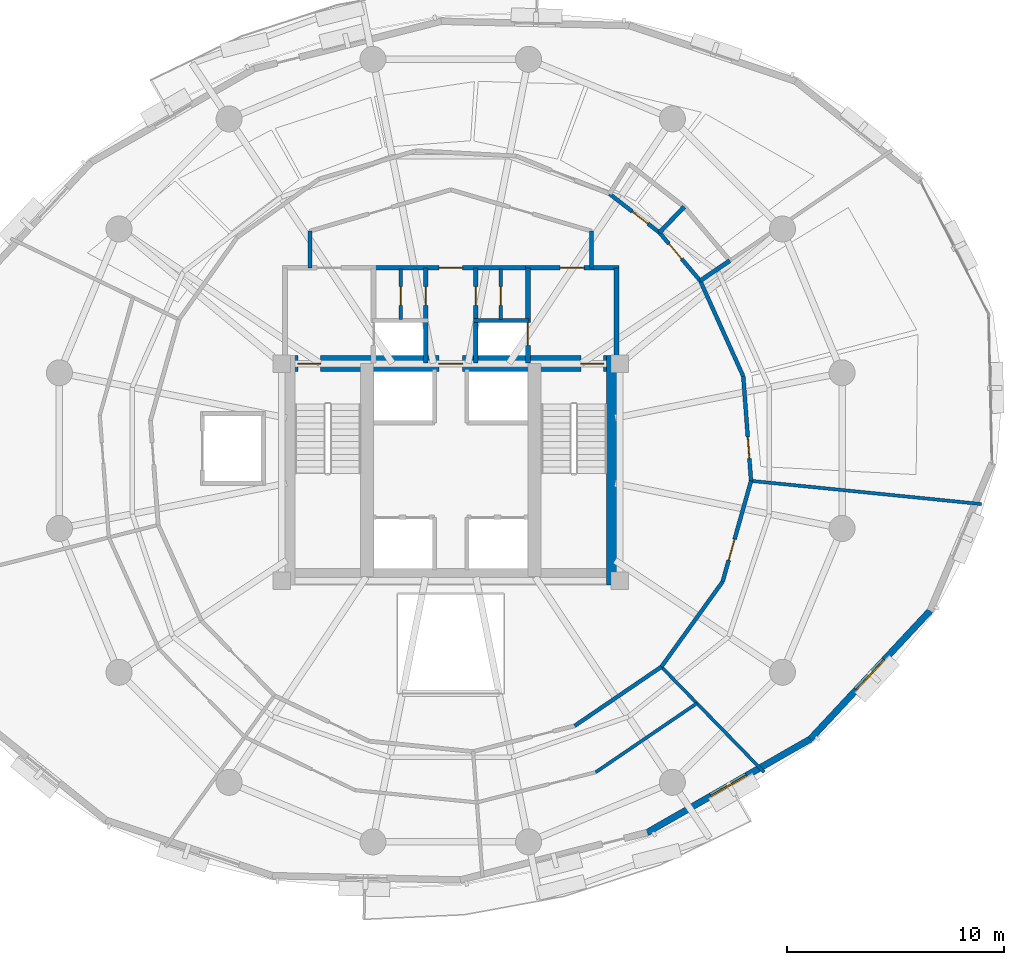
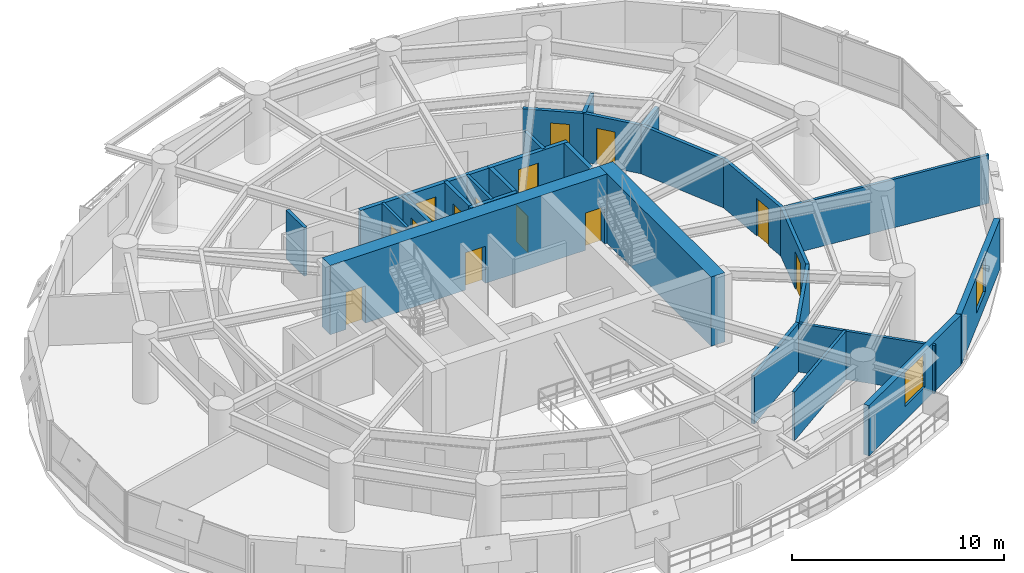
# One storey, part 11 of 15: 27 walls, 14 doors, 2 windows, 16 openings.
"""IFC4 building model written with IfcOpenShell, lengths in metres."""

from ifc_helpers import new_model, si_unit, direction, frame, frame_2d, origin, place, context, subcontext, project, spatial, rectangle, extrude, material, layer, layer_set, type_object, element, fill, save


model = new_model("IFC4")

# Units and contexts
model_context = context("Model", 3, precision=1e-05, world=origin(), true_north=direction((0.0, 1.0)))
body_context = subcontext(model_context, "Body", "Model", "MODEL_VIEW")
ifc_project = project(units=[si_unit("LENGTHUNIT", "METRE"), si_unit("AREAUNIT", "SQUARE_METRE"), si_unit("VOLUMEUNIT", "CUBIC_METRE"), si_unit("PLANEANGLEUNIT", "RADIAN"), si_unit("MASSUNIT", "GRAM", prefix="KILO"), si_unit("THERMODYNAMICTEMPERATUREUNIT", "KELVIN"), si_unit("POWERUNIT", "WATT")], contexts=[model_context])

# Site, building, storey
site_placement = place(None, origin())
site = spatial("IfcSite", under=ifc_project, at=site_placement, CompositionType="ELEMENT")
building_placement = place(site_placement, origin())
building = spatial("IfcBuilding", under=site, at=building_placement, Name="Ocrelia Relay Tower", CompositionType="ELEMENT")
storey_placement = place(building_placement, frame((0.0, 0.0, 93.800048828125)))
storey = spatial("IfcBuildingStorey", under=building, at=storey_placement, Name="L21", CompositionType="ELEMENT", Elevation=93.800048828125)

# Wall, openings, doors
ifc_material_1 = material(Name="Concrete C60/75", Category="concrete")
ifc_layer_1 = layer(ifc_material_1, 0.75, Name="Concrete C60/75")
ifc_layer_set_1 = layer_set([ifc_layer_1], Name="Concrete C60/75")
wall_type_1 = type_object("IfcWallType", Name="CW-CORE-750", PredefinedType="SHEAR", material=ifc_layer_set_1)
wall_1_placement = place(storey_placement, frame((26.072021484375, 30.012939453125, 0.0), z_axis=(0.0, 0.0, 1.0), x_axis=(1.0, 0.0, 0.0)))
wall_1 = element("IfcWall", 1, at=wall_1_placement, inside=storey, type_object=wall_type_1, Name="L21 Core Shear Wall N", PredefinedType="SHEAR", context=body_context, shape_type="SweptSolid", body=[
    extrude(rectangle(XDim=15.865966796875, YDim=0.75, at=frame_2d((7.93310546875, 0.0))), origin(), (0.0, 0.0, 1.0), 4.0),
])
opening_1_placement = place(wall_1_placement, frame((0.8779296875, 0.0, 0.0)))
opening_1 = element("IfcOpeningElement", 2, at=opening_1_placement, cuts=wall_1, Name="Opening D-FD90", PredefinedType="OPENING", context=body_context, shape_type="SweptSolid", body=[
    extrude(rectangle(XDim=1.050048828125, YDim=2.14990234375, at=frame_2d((0.52490234375, 1.074951171875))), frame((0.0, 0.385009765625, 0.0), z_axis=(0.0, -1.0, 0.0), x_axis=(1.0, 0.0, 0.0)), (0.0, 0.0, 1.0), 0.77001953125),
])
opening_2_placement = place(wall_1_placement, frame((13.927978515625, 0.0, 0.0)))
opening_2 = element("IfcOpeningElement", 3, at=opening_2_placement, cuts=wall_1, Name="Opening D-FD90", PredefinedType="OPENING", context=body_context, shape_type="SweptSolid", body=[
    extrude(rectangle(XDim=1.050048828125, YDim=2.14990234375, at=frame_2d((0.52490234375, 1.074951171875))), frame((0.0, 0.385009765625, 0.0), z_axis=(0.0, -1.0, 0.0), x_axis=(1.0, 0.0, 0.0)), (0.0, 0.0, 1.0), 0.77001953125),
])
opening_3_placement = place(wall_1_placement, frame((7.3779296875, 0.0, 0.0)))
opening_3 = element("IfcOpeningElement", 4, at=opening_3_placement, cuts=wall_1, Name="Opening D-FD60", PredefinedType="OPENING", context=body_context, shape_type="SweptSolid", body=[
    extrude(rectangle(XDim=1.10009765625, YDim=2.14990234375, at=frame_2d((0.550048828125, 1.074951171875))), frame((0.0, 0.385009765625, 0.0), z_axis=(0.0, -1.0, 0.0), x_axis=(1.0, 0.0, 0.0)), (0.0, 0.0, 1.0), 0.77001953125),
])
ifc_material_2 = material(Name="Timber-core 60-min acoustic fire door", Category="wood")
door_type_1 = type_object("IfcDoorType", Name="DR-LOBBY-FD60-1100", OperationType="NOTDEFINED", PredefinedType="DOOR", material=ifc_material_2)
door_1_placement = place(opening_3_placement, origin())
door_1 = element("IfcDoor", 5, at=door_1_placement, inside=storey, type_object=door_type_1, Name="L21 Core Lift Lobby North Fire Door", OperationType="SINGLE_SWING_LEFT", OverallHeight=2.14990234375, OverallWidth=1.10009765625, PredefinedType="DOOR", context=body_context, shape_type="SweptSolid", body=[
    extrude(rectangle(XDim=1.10009765625, YDim=2.14990234375, at=frame_2d((0.550048828125, 1.074951171875))), frame((0.0, 0.02490234375, 0.0), z_axis=(0.0, -1.0, 0.0), x_axis=(1.0, 0.0, 0.0)), (0.0, 0.0, 1.0), 0.050048828125),
])
fill(opening_3, door_1)
ifc_material_3 = material(Name="Steel S355 90-min fire door", Category="steel")
door_type_2 = type_object("IfcDoorType", Name="DR-STAIR-FD90-1050", OperationType="NOTDEFINED", PredefinedType="DOOR", material=ifc_material_3)
door_2_placement = place(opening_1_placement, origin())
door_2 = element("IfcDoor", 6, at=door_2_placement, inside=storey, type_object=door_type_2, Name="L21 Stair ST1 Fire Door", OperationType="SINGLE_SWING_LEFT", OverallHeight=2.14990234375, OverallWidth=1.050048828125, PredefinedType="DOOR", context=body_context, shape_type="SweptSolid", body=[
    extrude(rectangle(XDim=1.050048828125, YDim=2.14990234375, at=frame_2d((0.52490234375, 1.074951171875))), frame((0.0, 0.02490234375, 0.0), z_axis=(0.0, -1.0, 0.0), x_axis=(1.0, 0.0, 0.0)), (0.0, 0.0, 1.0), 0.050048828125),
])
fill(opening_1, door_2)
door_3_placement = place(opening_2_placement, origin())
door_3 = element("IfcDoor", 7, at=door_3_placement, inside=storey, type_object=door_type_2, Name="L21 Stair ST2 Fire Door", OperationType="SINGLE_SWING_RIGHT", OverallHeight=2.14990234375, OverallWidth=1.050048828125, PredefinedType="DOOR", context=body_context, shape_type="SweptSolid", body=[
    extrude(rectangle(XDim=1.050048828125, YDim=2.14990234375, at=frame_2d((0.52490234375, 1.074951171875))), frame((0.0, 0.02490234375, 0.0), z_axis=(0.0, -1.0, 0.0), x_axis=(1.0, 0.0, 0.0)), (0.0, 0.0, 1.0), 0.050048828125),
])
fill(opening_2, door_3)

# Walls
wall_2_placement = place(storey_placement, frame((41.56298828125, 19.81201171875, 0.0), z_axis=(0.0, 0.0, 1.0), x_axis=(0.0, 1.0, 0.0)))
element("IfcWall", 8, at=wall_2_placement, inside=storey, type_object=wall_type_1, Name="L21 Core Shear Wall E", PredefinedType="SHEAR", context=body_context, shape_type="SweptSolid", body=[
    extrude(rectangle(XDim=10.575927734375, YDim=0.75, at=frame_2d((5.2880859375, 0.0))), origin(), (0.0, 0.0, 1.0), 4.0),
])
ifc_material_4 = material(Name="Gypsum Fireboard Partition EI60", Category="gypsum")
ifc_layer_2 = layer(ifc_material_4, 0.179931640625, Name="Gypsum Fireboard Partition EI60")
ifc_layer_set_2 = layer_set([ifc_layer_2], Name="Gypsum Fireboard Partition EI60")
wall_type_2 = type_object("IfcWallType", Name="W-CORR-EI60-180", PredefinedType="PARTITIONING", material=ifc_layer_set_2)
for number, where, z_axis, x_axis, name in (
    (9, (27.5, 34.429931640625, 0.0), (0.0, 0.0, 1.0), (0.0, 1.0, 0.0), "L21 Smoke Lobby West Return"),
    (10, (40.5, 36.122802734375, 0.0), (0.0, 0.0, 1.0), (0.0, -1.0, 0.0), "L21 Smoke Lobby East Return"),
):
    element("IfcWall", number, at=place(storey_placement, frame(where, z_axis=z_axis, x_axis=x_axis)), inside=storey, type_object=wall_type_2, Name=name, PredefinedType="PARTITIONING", context=body_context, shape_type="SweptSolid", body=[
        extrude(rectangle(XDim=1.69287109375, YDim=0.179931640625, at=frame_2d((0.846435546875, 0.0))), origin(), (0.0, 0.0, 1.0), 2.800048828125),
    ])

# Wall, opening, door
wall_3_placement = place(storey_placement, frame((45.506103515625, 33.834228515625, 0.0), z_axis=(0.0, 0.0, 1.0), x_axis=(-0.646073859913, 0.763274896441, 0.0)))
wall_3 = element("IfcWall", 11, at=wall_3_placement, inside=storey, type_object=wall_type_2, Name="L21 Staff Toilet Corridor Wall", PredefinedType="PARTITIONING", context=body_context, shape_type="SweptSolid", body=[
    extrude(rectangle(XDim=2.91015625, YDim=0.179931640625, at=frame_2d((1.455078125, 0.0))), origin(), (0.0, 0.0, 1.0), 2.800048828125),
])
opening_4_placement = place(wall_3_placement, frame((1.321044921875, 0.0, 0.0)))
opening_4 = element("IfcOpeningElement", 12, at=opening_4_placement, cuts=wall_3, Name="Opening D-WC92", PredefinedType="OPENING", context=body_context, shape_type="SweptSolid", body=[
    extrude(rectangle(XDim=0.919921875, YDim=2.10009765625, at=frame_2d((0.4599609375, 1.050048828125))), frame((0.0, 0.10009765625, 0.0), z_axis=(0.0, -1.0, 0.0), x_axis=(1.0, 0.0, 0.0)), (0.0, 0.0, 1.0), 0.199951171875),
])
ifc_material_5 = material(Name="Laminate washroom door", Category="wood")
door_type_3 = type_object("IfcDoorType", Name="DR-WC-920", OperationType="NOTDEFINED", PredefinedType="DOOR", material=ifc_material_5)
door_4_placement = place(opening_4_placement, origin())
door_4 = element("IfcDoor", 13, at=door_4_placement, inside=storey, type_object=door_type_3, Name="L21 Staff Toilet Door", OperationType="SINGLE_SWING_LEFT", OverallHeight=2.10009765625, OverallWidth=0.919921875, PredefinedType="DOOR", context=body_context, shape_type="SweptSolid", body=[
    extrude(rectangle(XDim=0.919921875, YDim=2.10009765625, at=frame_2d((0.4599609375, 1.050048828125))), frame((0.0, 0.02490234375, 0.0), z_axis=(0.0, -1.0, 0.0), x_axis=(1.0, 0.0, 0.0)), (0.0, 0.0, 1.0), 0.050048828125),
])
fill(opening_4, door_4)

wall_4_placement = place(storey_placement, frame((43.6259765625, 36.055419921875, 0.0), z_axis=(0.0, 0.0, 1.0), x_axis=(-0.790714537431, 0.612185037627, 0.0)))
wall_4 = element("IfcWall", 14, at=wall_4_placement, inside=storey, type_object=wall_type_2, Name="L21 Accessible Toilet Corridor Wall", PredefinedType="PARTITIONING", context=body_context, shape_type="SweptSolid", body=[
    extrude(rectangle(XDim=2.91015625, YDim=0.179931640625, at=frame_2d((1.455078125, 0.0))), origin(), (0.0, 0.0, 1.0), 2.800048828125),
])
opening_5_placement = place(wall_4_placement, frame((0.6689453125, 0.0, 0.0)))
opening_5 = element("IfcOpeningElement", 15, at=opening_5_placement, cuts=wall_4, Name="Opening D-WC92", PredefinedType="OPENING", context=body_context, shape_type="SweptSolid", body=[
    extrude(rectangle(XDim=0.919921875, YDim=2.10009765625, at=frame_2d((0.4599609375, 1.050048828125))), frame((0.0, 0.10009765625, 0.0), z_axis=(0.0, -1.0, 0.0), x_axis=(1.0, 0.0, 0.0)), (0.0, 0.0, 1.0), 0.199951171875),
])
door_5_placement = place(opening_5_placement, origin())
door_5 = element("IfcDoor", 16, at=door_5_placement, inside=storey, type_object=door_type_3, Name="L21 Accessible Toilet Door", OperationType="SINGLE_SWING_RIGHT", OverallHeight=2.10009765625, OverallWidth=0.919921875, PredefinedType="DOOR", context=body_context, shape_type="SweptSolid", body=[
    extrude(rectangle(XDim=0.919921875, YDim=2.10009765625, at=frame_2d((0.4599609375, 1.050048828125))), frame((0.0, 0.02490234375, 0.0), z_axis=(0.0, -1.0, 0.0), x_axis=(1.0, 0.0, 0.0)), (0.0, 0.0, 1.0), 0.050048828125),
])
fill(opening_5, door_5)

# Walls
for number, where, z_axis, x_axis, name in (
    (17, (39.71728515625, 13.308349609375, 0.0), (0.0, 0.0, 1.0), (0.826587250333, 0.562808597648, 0.0), "L21 Protocol Testing Lab Corridor Partition 2"),
    (18, (43.713134765625, 16.029052734375, 0.0), (0.0, 0.0, 1.0), (0.584258160827, 0.811567866236, 0.0), "L21 Fiber Patch Store Corridor Partition 1"),
):
    element("IfcWall", number, at=place(storey_placement, frame(where, z_axis=z_axis, x_axis=x_axis)), inside=storey, type_object=wall_type_2, Name=name, PredefinedType="PARTITIONING", context=body_context, shape_type="SweptSolid", body=[
        extrude(rectangle(XDim=4.834228515625, YDim=0.179931640625, at=frame_2d((2.4169921875, 0.0))), origin(), (0.0, 0.0, 1.0), 2.800048828125),
    ])

# Wall, opening, door
wall_5_placement = place(storey_placement, frame((46.53759765625, 19.952392578125, 0.0), z_axis=(0.0, 0.0, 1.0), x_axis=(0.2714781561, 0.962444601398, 0.0)))
wall_5 = element("IfcWall", 19, at=wall_5_placement, inside=storey, type_object=wall_type_2, Name="L21 Fiber Patch Store Corridor Partition 2", PredefinedType="PARTITIONING", context=body_context, shape_type="SweptSolid", body=[
    extrude(rectangle(XDim=4.834716796875, YDim=0.179931640625, at=frame_2d((2.41748046875, 0.0))), origin(), (0.0, 0.0, 1.0), 2.800048828125),
])
opening_6_placement = place(wall_5_placement, frame((1.03369140625, 0.0, 0.0)))
opening_6 = element("IfcOpeningElement", 20, at=opening_6_placement, cuts=wall_5, Name="Opening D-RM100", PredefinedType="OPENING", context=body_context, shape_type="SweptSolid", body=[
    extrude(rectangle(XDim=1.0, YDim=2.14990234375, at=frame_2d((0.5, 1.074951171875))), frame((0.0, 0.10009765625, 0.0), z_axis=(0.0, -1.0, 0.0), x_axis=(1.0, 0.0, 0.0)), (0.0, 0.0, 1.0), 0.199951171875),
])
ifc_material_6 = material(Name="Acoustic oak veneer fire door", Category="wood")
door_type_4 = type_object("IfcDoorType", Name="DR-ROOM-FD60-1000", OperationType="NOTDEFINED", PredefinedType="DOOR", material=ifc_material_6)
door_6_placement = place(opening_6_placement, origin())
door_6 = element("IfcDoor", 21, at=door_6_placement, inside=storey, type_object=door_type_4, Name="L21 Fiber Patch Store Entrance Door", OperationType="SINGLE_SWING_RIGHT", OverallHeight=2.14990234375, OverallWidth=1.0, PredefinedType="DOOR", context=body_context, shape_type="SweptSolid", body=[
    extrude(rectangle(XDim=1.0, YDim=2.14990234375, at=frame_2d((0.5, 1.074951171875))), frame((0.0, 0.02490234375, 0.0), z_axis=(0.0, -1.0, 0.0), x_axis=(1.0, 0.0, 0.0)), (0.0, 0.0, 1.0), 0.050048828125),
])
fill(opening_6, door_6)

wall_6_placement = place(storey_placement, frame((47.85009765625, 24.60546875, 0.0), z_axis=(0.0, 0.0, 1.0), x_axis=(-0.074135832701, 0.997248152823, 0.0)))
wall_6 = element("IfcWall", 22, at=wall_6_placement, inside=storey, type_object=wall_type_2, Name="L21 Optical Telemetry Studio Corridor Partition 1", PredefinedType="PARTITIONING", context=body_context, shape_type="SweptSolid", body=[
    extrude(rectangle(XDim=4.834228515625, YDim=0.179931640625, at=frame_2d((2.4169921875, 0.0))), origin(), (0.0, 0.0, 1.0), 2.800048828125),
])
opening_7_placement = place(wall_6_placement, frame((1.03369140625, 0.0, 0.0)))
opening_7 = element("IfcOpeningElement", 23, at=opening_7_placement, cuts=wall_6, Name="Opening D-RM100", PredefinedType="OPENING", context=body_context, shape_type="SweptSolid", body=[
    extrude(rectangle(XDim=1.0, YDim=2.14990234375, at=frame_2d((0.5, 1.074951171875))), frame((0.0, 0.10009765625, 0.0), z_axis=(0.0, -1.0, 0.0), x_axis=(1.0, 0.0, 0.0)), (0.0, 0.0, 1.0), 0.199951171875),
])
door_7_placement = place(opening_7_placement, origin())
door_7 = element("IfcDoor", 24, at=door_7_placement, inside=storey, type_object=door_type_4, Name="L21 Optical Telemetry Studio Entrance Door", OperationType="SINGLE_SWING_LEFT", OverallHeight=2.14990234375, OverallWidth=1.0, PredefinedType="DOOR", context=body_context, shape_type="SweptSolid", body=[
    extrude(rectangle(XDim=1.0, YDim=2.14990234375, at=frame_2d((0.5, 1.074951171875))), frame((0.0, 0.02490234375, 0.0), z_axis=(0.0, -1.0, 0.0), x_axis=(1.0, 0.0, 0.0)), (0.0, 0.0, 1.0), 0.050048828125),
])
fill(opening_7, door_7)

# Wall
wall_7_placement = place(storey_placement, frame((47.49169921875, 29.426513671875, 0.0), z_axis=(0.0, 0.0, 1.0), x_axis=(-0.410730020243, 0.911757012845, 0.0)))
element("IfcWall", 25, at=wall_7_placement, inside=storey, type_object=wall_type_2, Name="L21 Optical Telemetry Studio Corridor Partition 2", PredefinedType="PARTITIONING", context=body_context, shape_type="SweptSolid", body=[
    extrude(rectangle(XDim=4.834228515625, YDim=0.179931640625, at=frame_2d((2.4169921875, 0.0))), origin(), (0.0, 0.0, 1.0), 2.800048828125),
])

# Wall, opening, window
ifc_material_7 = material(Name="Precast concrete C40/50 with oxide terracotta", Category="masonry")
ifc_layer_3 = layer(ifc_material_7, 0.300048828125, Name="Precast concrete C40/50 with oxide terracotta")
ifc_layer_set_3 = layer_set([ifc_layer_3], Name="Precast concrete C40/50 with oxide terracotta")
wall_type_3 = type_object("IfcWallType", Name="W-EXT-TERR-300", PredefinedType="SOLIDWALL", material=ifc_layer_set_3)
wall_8_placement = place(storey_placement, frame((43.059814453125, 8.385986328125, 0.0), z_axis=(0.0, 0.0, 1.0), x_axis=(0.867587591435, 0.497284396687, 0.0)))
wall_8 = element("IfcWall", 26, at=wall_8_placement, inside=storey, type_object=wall_type_3, Name="L21 Oxide Terracotta Facade Wall 15", PredefinedType="SOLIDWALL", context=body_context, shape_type="SweptSolid", body=[
    extrude(rectangle(XDim=8.673095703125, YDim=0.300048828125, at=frame_2d((4.33642578125, 0.0))), origin(), (0.0, 0.0, 1.0), 2.89990234375),
])
opening_8_placement = place(wall_8_placement, frame((3.385986328125, 0.0, 0.800048828125)))
opening_8 = element("IfcOpeningElement", 27, at=opening_8_placement, cuts=wall_8, Name="Opening W-06", PredefinedType="OPENING", context=body_context, shape_type="SweptSolid", body=[
    extrude(rectangle(XDim=1.89990234375, YDim=1.949951171875, at=frame_2d((0.949951171875, 0.97509765625))), frame((0.0, 0.16015625, 0.0), z_axis=(0.0, -1.0, 0.0), x_axis=(1.0, 0.0, 0.0)), (0.0, 0.0, 1.0), 0.320068359375),
])
ifc_material_8 = material(Name="Clear double-glazed low-E glass", Category="glass")
window_type = type_object("IfcWindowType", Name="WIN-Z2-1900x2100", PartitioningType="DOUBLE_PANEL_VERTICAL", PredefinedType="WINDOW", material=ifc_material_8)
window_1_placement = place(opening_8_placement, origin())
window_1 = element("IfcWindow", 28, at=window_1_placement, inside=storey, type_object=window_type, Name="L21 Facade Module Window 15", OverallHeight=1.949951171875, OverallWidth=1.89990234375, PartitioningType="SINGLE_PANEL", PredefinedType="WINDOW", context=body_context, shape_type="SweptSolid", body=[
    extrude(rectangle(XDim=1.89990234375, YDim=1.949951171875, at=frame_2d((0.949951171875, 0.97509765625))), frame((0.0, 0.030029296875, 0.0), z_axis=(0.0, -1.0, 0.0), x_axis=(1.0, 0.0, 0.0)), (0.0, 0.0, 1.0), 0.06005859375),
])
fill(opening_8, window_1)

wall_9_placement = place(storey_placement, frame((50.58447265625, 12.698974609375, 0.0), z_axis=(0.0, 0.0, 1.0), x_axis=(0.682395616095, 0.730983052563, 0.0)))
wall_9 = element("IfcWall", 29, at=wall_9_placement, inside=storey, type_object=wall_type_3, Name="L21 Oxide Terracotta Facade Wall 16", PredefinedType="SOLIDWALL", context=body_context, shape_type="SweptSolid", body=[
    extrude(rectangle(XDim=8.094970703125, YDim=0.300048828125, at=frame_2d((4.04736328125, 0.0))), origin(), (0.0, 0.0, 1.0), 2.89990234375),
])
opening_9_placement = place(wall_9_placement, frame((3.097900390625, 0.0, 0.800048828125)))
opening_9 = element("IfcOpeningElement", 30, at=opening_9_placement, cuts=wall_9, Name="Opening W-06", PredefinedType="OPENING", context=body_context, shape_type="SweptSolid", body=[
    extrude(rectangle(XDim=1.89990234375, YDim=1.949951171875, at=frame_2d((0.949951171875, 0.97509765625))), frame((0.0, 0.16015625, 0.0), z_axis=(0.0, -1.0, 0.0), x_axis=(1.0, 0.0, 0.0)), (0.0, 0.0, 1.0), 0.320068359375),
])
window_2_placement = place(opening_9_placement, origin())
window_2 = element("IfcWindow", 31, at=window_2_placement, inside=storey, type_object=window_type, Name="L21 Facade Module Window 16", OverallHeight=1.949951171875, OverallWidth=1.89990234375, PartitioningType="SINGLE_PANEL", PredefinedType="WINDOW", context=body_context, shape_type="SweptSolid", body=[
    extrude(rectangle(XDim=1.89990234375, YDim=1.949951171875, at=frame_2d((0.949951171875, 0.97509765625))), frame((0.0, 0.030029296875, 0.0), z_axis=(0.0, -1.0, 0.0), x_axis=(1.0, 0.0, 0.0)), (0.0, 0.0, 1.0), 0.06005859375),
])
fill(opening_9, window_2)

# Wall, opening, door
ifc_material_9 = material(Name="Concrete C50/60", Category="concrete")
ifc_layer_4 = layer(ifc_material_9, 0.219970703125, Name="Concrete C50/60")
ifc_layer_set_4 = layer_set([ifc_layer_4], Name="Concrete C50/60")
wall_type_4 = type_object("IfcWallType", Name="W-FFL-EI120-220", PredefinedType="SOLIDWALL", material=ifc_layer_set_4)
wall_10_placement = place(storey_placement, frame((37.56005859375, 30.050048828125, 0.0), z_axis=(0.0, 0.0, 1.0), x_axis=(0.0, 1.0, 0.0)))
wall_10 = element("IfcWall", 32, at=wall_10_placement, inside=storey, type_object=wall_type_4, Name="L21 E Fire Service Lift Lobby West Wall", PredefinedType="SOLIDWALL", context=body_context, shape_type="SweptSolid", body=[
    extrude(rectangle(XDim=4.3798828125, YDim=0.219970703125, at=frame_2d((2.18994140625, 0.0))), origin(), (0.0, 0.0, 1.0), 2.800048828125),
])
opening_10_placement = place(wall_10_placement, frame((0.800048828125, 0.0, 0.0)))
opening_10 = element("IfcOpeningElement", 33, at=opening_10_placement, cuts=wall_10, Name="Opening LD-FFL2", PredefinedType="OPENING", context=body_context, shape_type="SweptSolid", body=[
    extrude(rectangle(XDim=1.050048828125, YDim=2.10009765625, at=frame_2d((0.52490234375, 1.050048828125))), frame((0.0, 0.1201171875, 0.0), z_axis=(0.0, -1.0, 0.0), x_axis=(1.0, 0.0, 0.0)), (0.0, 0.0, 1.0), 0.239990234375),
])
ifc_material_10 = material(Name="Brushed stainless steel S355 lift landing door", Category="steel")
door_type_5 = type_object("IfcDoorType", Name="DR-LIFT-LAND-1050", OperationType="DOUBLE_DOOR_SLIDING", PredefinedType="USERDEFINED", material=ifc_material_10)
door_8_placement = place(opening_10_placement, origin())
door_8 = element("IfcDoor", 34, at=door_8_placement, inside=storey, type_object=door_type_5, Name="L21 Firefighting Lift FFL2 Sliding Landing Door", ObjectType="LANDING DOOR", OperationType="DOUBLE_DOOR_SLIDING", OverallHeight=2.10009765625, OverallWidth=1.050048828125, PredefinedType="USERDEFINED", context=body_context, shape_type="SweptSolid", body=[
    extrude(rectangle(XDim=1.050048828125, YDim=2.10009765625, at=frame_2d((0.52490234375, 1.050048828125))), frame((0.0, 0.02490234375, 0.0), z_axis=(0.0, -1.0, 0.0), x_axis=(1.0, 0.0, 0.0)), (0.0, 0.0, 1.0), 0.050048828125),
])
fill(opening_10, door_8)

# Wall
wall_11_placement = place(storey_placement, frame((41.64990234375, 30.050048828125, 0.0), z_axis=(0.0, 0.0, 1.0), x_axis=(0.0, 1.0, 0.0)))
element("IfcWall", 35, at=wall_11_placement, inside=storey, type_object=wall_type_4, Name="L21 E Fire Service Lift Lobby East Wall", PredefinedType="SOLIDWALL", context=body_context, shape_type="SweptSolid", body=[
    extrude(rectangle(XDim=4.3798828125, YDim=0.219970703125, at=frame_2d((2.18994140625, 0.0))), origin(), (0.0, 0.0, 1.0), 2.800048828125),
])

# Wall, opening, door
wall_12_placement = place(storey_placement, frame((37.449951171875, 34.429931640625, 0.0), z_axis=(0.0, 0.0, 1.0), x_axis=(1.0, 0.0, 0.0)))
wall_12 = element("IfcWall", 36, at=wall_12_placement, inside=storey, type_object=wall_type_4, Name="L21 E Fire Service Lift Lobby North Wall", PredefinedType="SOLIDWALL", context=body_context, shape_type="SweptSolid", body=[
    extrude(rectangle(XDim=4.31005859375, YDim=0.219970703125, at=frame_2d((2.155029296875, 0.0))), origin(), (0.0, 0.0, 1.0), 2.800048828125),
])
opening_11_placement = place(wall_12_placement, frame((1.60009765625, 0.0, 0.0)))
opening_11 = element("IfcOpeningElement", 37, at=opening_11_placement, cuts=wall_12, Name="Opening D-FD60", PredefinedType="OPENING", context=body_context, shape_type="SweptSolid", body=[
    extrude(rectangle(XDim=1.10009765625, YDim=2.14990234375, at=frame_2d((0.550048828125, 1.074951171875))), frame((0.0, 0.1201171875, 0.0), z_axis=(0.0, -1.0, 0.0), x_axis=(1.0, 0.0, 0.0)), (0.0, 0.0, 1.0), 0.239990234375),
])
door_9_placement = place(opening_11_placement, origin())
door_9 = element("IfcDoor", 38, at=door_9_placement, inside=storey, type_object=door_type_1, Name="L21 E Fire Service Lift Lobby Exit Door", OperationType="SINGLE_SWING_RIGHT", OverallHeight=2.14990234375, OverallWidth=1.10009765625, PredefinedType="DOOR", context=body_context, shape_type="SweptSolid", body=[
    extrude(rectangle(XDim=1.10009765625, YDim=2.14990234375, at=frame_2d((0.550048828125, 1.074951171875))), frame((0.0, 0.02490234375, 0.0), z_axis=(0.0, -1.0, 0.0), x_axis=(1.0, 0.0, 0.0)), (0.0, 0.0, 1.0), 0.050048828125),
])
fill(opening_11, door_9)

wall_13_placement = place(storey_placement, frame((30.43994140625, 34.429931640625, 0.0), z_axis=(0.0, 0.0, 1.0), x_axis=(1.0, 0.0, 0.0)))
wall_13 = element("IfcWall", 39, at=wall_13_placement, inside=storey, type_object=wall_type_4, Name="L21 North Core Vestibule Wall", PredefinedType="SOLIDWALL", context=body_context, shape_type="SweptSolid", body=[
    extrude(rectangle(XDim=7.1201171875, YDim=0.219970703125, at=frame_2d((3.56005859375, 0.0))), origin(), (0.0, 0.0, 1.0), 2.800048828125),
])
opening_12_placement = place(wall_13_placement, frame((3.010009765625, 0.0, 0.0)))
opening_12 = element("IfcOpeningElement", 40, at=opening_12_placement, cuts=wall_13, Name="Opening D-FD60", PredefinedType="OPENING", context=body_context, shape_type="SweptSolid", body=[
    extrude(rectangle(XDim=1.10009765625, YDim=2.14990234375, at=frame_2d((0.550048828125, 1.074951171875))), frame((0.0, 0.1201171875, 0.0), z_axis=(0.0, -1.0, 0.0), x_axis=(1.0, 0.0, 0.0)), (0.0, 0.0, 1.0), 0.239990234375),
])
door_10_placement = place(opening_12_placement, origin())
door_10 = element("IfcDoor", 41, at=door_10_placement, inside=storey, type_object=door_type_1, Name="L21 North Core Vestibule Corridor Door", OperationType="SINGLE_SWING_RIGHT", OverallHeight=2.14990234375, OverallWidth=1.10009765625, PredefinedType="DOOR", context=body_context, shape_type="SweptSolid", body=[
    extrude(rectangle(XDim=1.10009765625, YDim=2.14990234375, at=frame_2d((0.550048828125, 1.074951171875))), frame((0.0, 0.02490234375, 0.0), z_axis=(0.0, -1.0, 0.0), x_axis=(1.0, 0.0, 0.0)), (0.0, 0.0, 1.0), 0.050048828125),
])
fill(opening_12, door_10)

ifc_material_11 = material(Name="Acoustic Fireboard Partition EI60", Category="gypsum")
ifc_layer_5 = layer(ifc_material_11, 0.14990234375, Name="Acoustic Fireboard Partition EI60")
ifc_layer_set_5 = layer_set([ifc_layer_5], Name="Acoustic Fireboard Partition EI60")
wall_type_5 = type_object("IfcWallType", Name="W-PART-150", PredefinedType="PARTITIONING", material=ifc_layer_set_5)
wall_14_placement = place(storey_placement, frame((31.68994140625, 32.050048828125, 0.0), z_axis=(0.0, 0.0, 1.0), x_axis=(0.0, 1.0, 0.0)))
wall_14 = element("IfcWall", 42, at=wall_14_placement, inside=storey, type_object=wall_type_5, Name="L21 West Core Support Partition", PredefinedType="PARTITIONING", context=body_context, shape_type="SweptSolid", body=[
    extrude(rectangle(XDim=2.329833984375, YDim=0.14990234375, at=frame_2d((1.1650390625, 0.0))), origin(), (0.0, 0.0, 1.0), 2.800048828125),
])
opening_13_placement = place(wall_14_placement, frame((0.64990234375, 0.0, 0.0)))
opening_13 = element("IfcOpeningElement", 43, at=opening_13_placement, cuts=wall_14, Name="Opening D-RS86", PredefinedType="OPENING", context=body_context, shape_type="SweptSolid", body=[
    extrude(rectangle(XDim=0.860107421875, YDim=2.050048828125, at=frame_2d((0.43017578125, 1.02490234375))), frame((0.0, 0.0849609375, 0.0), z_axis=(0.0, -1.0, 0.0), x_axis=(1.0, 0.0, 0.0)), (0.0, 0.0, 1.0), 0.169921875),
])
ifc_material_12 = material(Name="Steel S355 riser access fire door", Category="steel")
door_type_6 = type_object("IfcDoorType", Name="DR-RISER-TRAP-860", OperationType="NOTDEFINED", PredefinedType="TRAPDOOR", material=ifc_material_12)
door_11_placement = place(opening_13_placement, origin())
door_11 = element("IfcDoor", 44, at=door_11_placement, inside=storey, type_object=door_type_6, Name="L21 West Core Store Connecting Door", OperationType="SINGLE_SWING_LEFT", OverallHeight=2.050048828125, OverallWidth=0.860107421875, PredefinedType="TRAPDOOR", context=body_context, shape_type="SweptSolid", body=[
    extrude(rectangle(XDim=0.860107421875, YDim=2.050048828125, at=frame_2d((0.43017578125, 1.02490234375))), frame((0.0, 0.02490234375, 0.0), z_axis=(0.0, -1.0, 0.0), x_axis=(1.0, 0.0, 0.0)), (0.0, 0.0, 1.0), 0.050048828125),
])
fill(opening_13, door_11)

wall_15_placement = place(storey_placement, frame((36.31005859375, 32.050048828125, 0.0), z_axis=(0.0, 0.0, 1.0), x_axis=(0.0, 1.0, 0.0)))
wall_15 = element("IfcWall", 45, at=wall_15_placement, inside=storey, type_object=wall_type_5, Name="L21 East Core Support Partition", PredefinedType="PARTITIONING", context=body_context, shape_type="SweptSolid", body=[
    extrude(rectangle(XDim=2.329833984375, YDim=0.14990234375, at=frame_2d((1.1650390625, 0.0))), origin(), (0.0, 0.0, 1.0), 2.800048828125),
])
opening_14_placement = place(wall_15_placement, frame((0.64990234375, 0.0, 0.0)))
opening_14 = element("IfcOpeningElement", 46, at=opening_14_placement, cuts=wall_15, Name="Opening D-RS86", PredefinedType="OPENING", context=body_context, shape_type="SweptSolid", body=[
    extrude(rectangle(XDim=0.860107421875, YDim=2.050048828125, at=frame_2d((0.43017578125, 1.02490234375))), frame((0.0, 0.0849609375, 0.0), z_axis=(0.0, -1.0, 0.0), x_axis=(1.0, 0.0, 0.0)), (0.0, 0.0, 1.0), 0.169921875),
])
door_12_placement = place(opening_14_placement, origin())
door_12 = element("IfcDoor", 47, at=door_12_placement, inside=storey, type_object=door_type_6, Name="L21 East Core Store Connecting Door", OperationType="SINGLE_SWING_RIGHT", OverallHeight=2.050048828125, OverallWidth=0.860107421875, PredefinedType="TRAPDOOR", context=body_context, shape_type="SweptSolid", body=[
    extrude(rectangle(XDim=0.860107421875, YDim=2.050048828125, at=frame_2d((0.43017578125, 1.02490234375))), frame((0.0, 0.02490234375, 0.0), z_axis=(0.0, -1.0, 0.0), x_axis=(1.0, 0.0, 0.0)), (0.0, 0.0, 1.0), 0.050048828125),
])
fill(opening_14, door_12)

# Walls
wall_16_placement = place(storey_placement, frame((43.713134765625, 16.029052734375, 0.0), z_axis=(0.0, 0.0, 1.0), x_axis=(0.697791781315, -0.7163006561, 0.0)))
element("IfcWall", 48, at=wall_16_placement, inside=storey, type_object=wall_type_5, Name="L21 Protocol Testing Lab Radial Partition", PredefinedType="PARTITIONING", context=body_context, shape_type="SweptSolid", body=[
    extrude(rectangle(XDim=6.77978515625, YDim=0.14990234375, at=frame_2d((3.389892578125, 0.0))), origin(), (0.0, 0.0, 1.0), 2.800048828125),
])
wall_17_placement = place(storey_placement, frame((40.682373046875, 11.16552734375, 0.0), z_axis=(0.0, 0.0, 1.0), x_axis=(0.826586417686, 0.562809820541, 0.0)))
element("IfcWall", 49, at=wall_17_placement, inside=storey, type_object=wall_type_5, Name="L21 Perimeter Protocol Testing Lab Mid-Ring Partition 2", PredefinedType="PARTITIONING", context=body_context, shape_type="SweptSolid", body=[
    extrude(rectangle(XDim=5.650634765625, YDim=0.14990234375, at=frame_2d((2.8251953125, 0.0))), origin(), (0.0, 0.0, 1.0), 2.800048828125),
])
wall_18_placement = place(storey_placement, frame((47.85009765625, 24.60546875, 0.0), z_axis=(0.0, 0.0, 1.0), x_axis=(0.994967262741, -0.100200529308, 0.0)))
element("IfcWall", 50, at=wall_18_placement, inside=storey, type_object=wall_type_5, Name="L21 Fiber Patch Store Radial Partition", PredefinedType="PARTITIONING", context=body_context, shape_type="SweptSolid", body=[
    extrude(rectangle(XDim=10.68408203125, YDim=0.14990234375, at=frame_2d((5.342041015625, 0.0))), origin(), (0.0, 0.0, 1.0), 2.800048828125),
])
ifc_material_13 = material(Name="Moisture-Resistant Fireboard Chase Wall EI60", Category="gypsum")
ifc_layer_6 = layer(ifc_material_13, 0.199951171875, Name="Moisture-Resistant Fireboard Chase Wall EI60")
ifc_layer_set_6 = layer_set([ifc_layer_6], Name="Moisture-Resistant Fireboard Chase Wall EI60")
wall_type_6 = type_object("IfcWallType", Name="W-PLUMB-200", PredefinedType="PLUMBINGWALL", material=ifc_layer_set_6)
wall_19_placement = place(storey_placement, frame((45.506103515625, 33.834228515625, 0.0), z_axis=(0.0, 0.0, 1.0), x_axis=(0.826593389974, 0.562799580358, 0.0)))
element("IfcWall", 51, at=wall_19_placement, inside=storey, type_object=wall_type_6, Name="L21 Staff Toilet Plumbing Radial Wall", PredefinedType="PLUMBINGWALL", context=body_context, shape_type="SweptSolid", body=[
    extrude(rectangle(XDim=1.650146484375, YDim=0.199951171875, at=frame_2d((0.8251953125, 0.0))), origin(), (0.0, 0.0, 1.0), 2.800048828125),
])
wall_20_placement = place(storey_placement, frame((43.6259765625, 36.055419921875, 0.0), z_axis=(0.0, 0.0, 1.0), x_axis=(0.691474580478, 0.722400792188, 0.0)))
element("IfcWall", 52, at=wall_20_placement, inside=storey, type_object=wall_type_6, Name="L21 Staff Toilet Plumbing Radial Wall", PredefinedType="PLUMBINGWALL", context=body_context, shape_type="SweptSolid", body=[
    extrude(rectangle(XDim=1.64990234375, YDim=0.199951171875, at=frame_2d((0.824951171875, 0.0))), origin(), (0.0, 0.0, 1.0), 2.800048828125),
])

# Wall, opening, door
ifc_layer_7 = layer(ifc_material_9, 0.199951171875, Name="Concrete C50/60")
ifc_layer_set_7 = layer_set([ifc_layer_7], Name="Concrete C50/60")
wall_type_7 = type_object("IfcWallType", Name="W-SHAFT-EI120-200", PredefinedType="SOLIDWALL", material=ifc_layer_set_7)
wall_21_placement = place(storey_placement, frame((32.85009765625, 30.050048828125, 0.0), z_axis=(0.0, 0.0, 1.0), x_axis=(0.0, 1.0, 0.0)))
wall_21 = element("IfcWall", 53, at=wall_21_placement, inside=storey, type_object=wall_type_7, Name="L21 FFL1 and Service Vestibule Wall", PredefinedType="SOLIDWALL", context=body_context, shape_type="SweptSolid", body=[
    extrude(rectangle(XDim=4.3798828125, YDim=0.199951171875, at=frame_2d((2.18994140625, 0.0))), origin(), (0.0, 0.0, 1.0), 2.800048828125),
])
opening_15_placement = place(wall_21_placement, frame((2.64990234375, 0.0, 0.0)))
opening_15 = element("IfcOpeningElement", 54, at=opening_15_placement, cuts=wall_21, Name="Opening D-RS86", PredefinedType="OPENING", context=body_context, shape_type="SweptSolid", body=[
    extrude(rectangle(XDim=0.860107421875, YDim=2.050048828125, at=frame_2d((0.43017578125, 1.02490234375))), frame((0.0, 0.10986328125, 0.0), z_axis=(0.0, -1.0, 0.0), x_axis=(1.0, 0.0, 0.0)), (0.0, 0.0, 1.0), 0.219970703125),
])
door_13_placement = place(opening_15_placement, origin())
door_13 = element("IfcDoor", 55, at=door_13_placement, inside=storey, type_object=door_type_6, Name="L21 Core Support Room W Door", OperationType="SINGLE_SWING_LEFT", OverallHeight=2.050048828125, OverallWidth=0.860107421875, PredefinedType="TRAPDOOR", context=body_context, shape_type="SweptSolid", body=[
    extrude(rectangle(XDim=0.860107421875, YDim=2.050048828125, at=frame_2d((0.43017578125, 1.02490234375))), frame((0.0, 0.02490234375, 0.0), z_axis=(0.0, -1.0, 0.0), x_axis=(1.0, 0.0, 0.0)), (0.0, 0.0, 1.0), 0.050048828125),
])
fill(opening_15, door_13)

# Wall
wall_22_placement = place(storey_placement, frame((35.050048828125, 32.0, 0.0), z_axis=(0.0, 0.0, 1.0), x_axis=(1.0, 0.0, 0.0)))
element("IfcWall", 56, at=wall_22_placement, inside=storey, type_object=wall_type_7, Name="L21 FFL2 Hoistway North Wall", PredefinedType="SOLIDWALL", context=body_context, shape_type="SweptSolid", body=[
    extrude(rectangle(XDim=2.550048828125, YDim=0.199951171875, at=frame_2d((1.27490234375, 0.0))), origin(), (0.0, 0.0, 1.0), 2.800048828125),
])

# Wall, opening, door
wall_23_placement = place(storey_placement, frame((35.14990234375, 30.050048828125, 0.0), z_axis=(0.0, 0.0, 1.0), x_axis=(0.0, 1.0, 0.0)))
wall_23 = element("IfcWall", 57, at=wall_23_placement, inside=storey, type_object=wall_type_7, Name="L21 FFL2 and Service Vestibule Wall", PredefinedType="SOLIDWALL", context=body_context, shape_type="SweptSolid", body=[
    extrude(rectangle(XDim=4.3798828125, YDim=0.199951171875, at=frame_2d((2.18994140625, 0.0))), origin(), (0.0, 0.0, 1.0), 2.800048828125),
])
opening_16_placement = place(wall_23_placement, frame((2.64990234375, 0.0, 0.0)))
opening_16 = element("IfcOpeningElement", 58, at=opening_16_placement, cuts=wall_23, Name="Opening D-RS86", PredefinedType="OPENING", context=body_context, shape_type="SweptSolid", body=[
    extrude(rectangle(XDim=0.860107421875, YDim=2.050048828125, at=frame_2d((0.43017578125, 1.02490234375))), frame((0.0, 0.10986328125, 0.0), z_axis=(0.0, -1.0, 0.0), x_axis=(1.0, 0.0, 0.0)), (0.0, 0.0, 1.0), 0.219970703125),
])
door_14_placement = place(opening_16_placement, origin())
door_14 = element("IfcDoor", 59, at=door_14_placement, inside=storey, type_object=door_type_6, Name="L21 Core Support Room E Door", OperationType="SINGLE_SWING_LEFT", OverallHeight=2.050048828125, OverallWidth=0.860107421875, PredefinedType="TRAPDOOR", context=body_context, shape_type="SweptSolid", body=[
    extrude(rectangle(XDim=0.860107421875, YDim=2.050048828125, at=frame_2d((0.43017578125, 1.02490234375))), frame((0.0, 0.02490234375, 0.0), z_axis=(0.0, -1.0, 0.0), x_axis=(1.0, 0.0, 0.0)), (0.0, 0.0, 1.0), 0.050048828125),
])
fill(opening_16, door_14)

save(model, "model.ifc")
